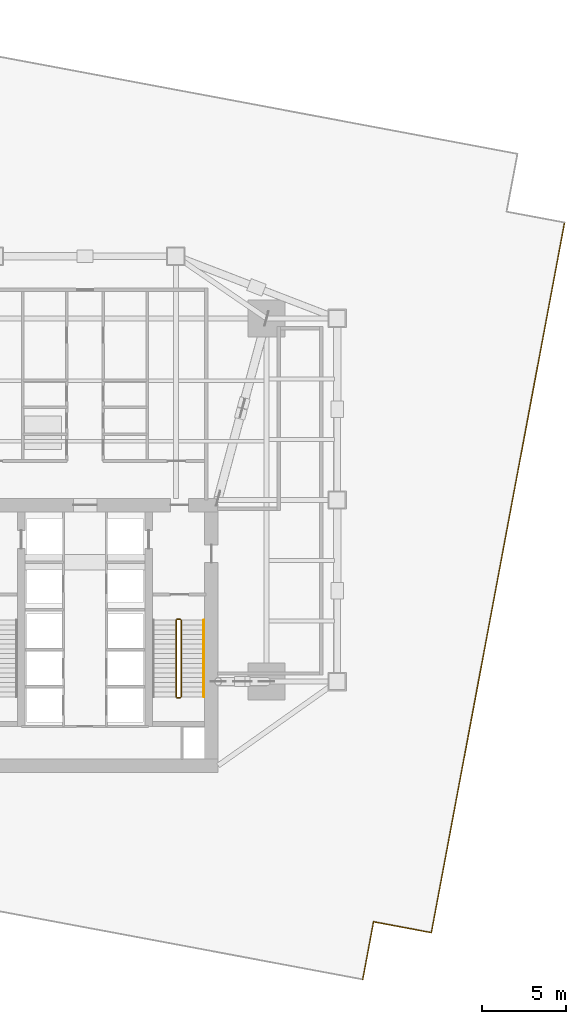
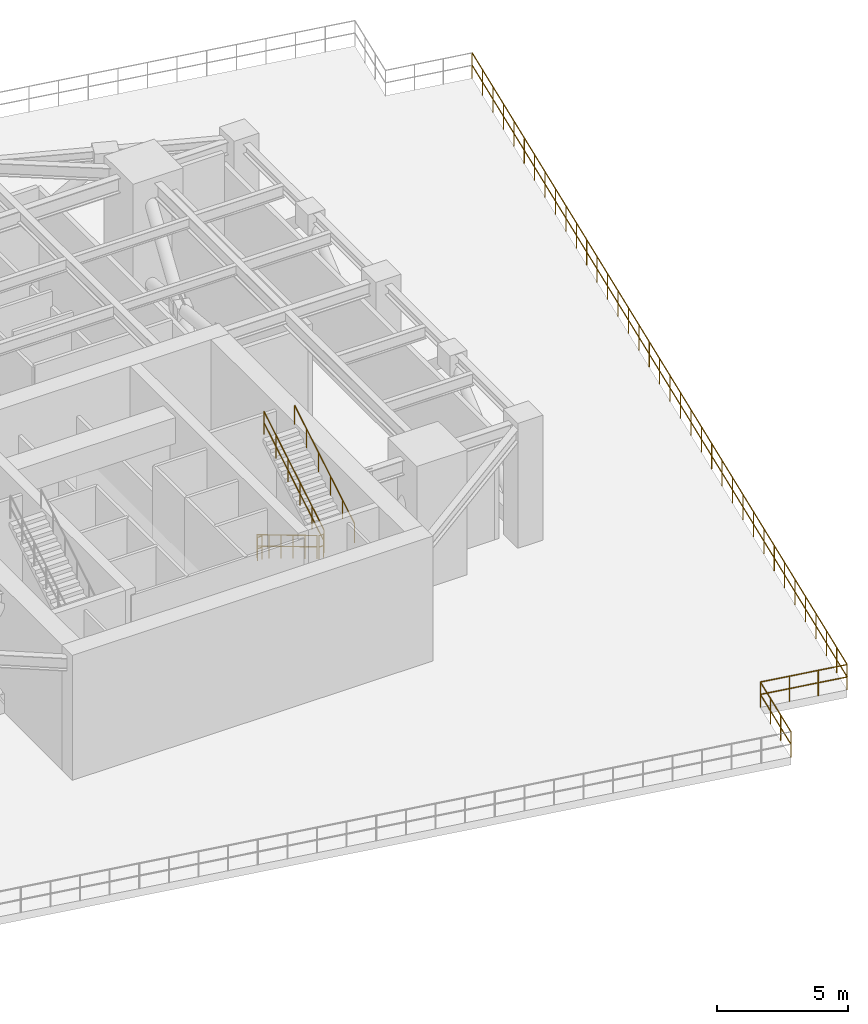
# One storey, part 9 of 10: 8 railings.
"""IFC4 building model written with IfcOpenShell, lengths in metres."""

from ifc_helpers import new_model, si_unit, direction, frame, origin, origin_2d, place, context, subcontext, project, spatial, circle, extrude, material, layer, layer_set, type_object, element, save


model = new_model("IFC4")

# Units and contexts
model_context = context("Model", 3, precision=1e-05, world=origin(), true_north=direction((0.0, 1.0)))
body_context = subcontext(model_context, "Body", "Model", "MODEL_VIEW")
ifc_project = project(units=[si_unit("LENGTHUNIT", "METRE"), si_unit("AREAUNIT", "SQUARE_METRE"), si_unit("VOLUMEUNIT", "CUBIC_METRE"), si_unit("PLANEANGLEUNIT", "RADIAN"), si_unit("MASSUNIT", "GRAM", prefix="KILO")], contexts=[model_context])

# Site, building, storey
site_placement = place(None, origin())
site = spatial("IfcSite", under=ifc_project, at=site_placement, CompositionType="ELEMENT")
building_placement = place(site_placement, origin())
building = spatial("IfcBuilding", under=site, at=building_placement, Name="Krantzveldt Concourse Tower", CompositionType="ELEMENT")
storey_placement = place(building_placement, frame((0.0, 0.0, 80.300048828125)))
storey = spatial("IfcBuildingStorey", under=building, at=storey_placement, Name="L19", CompositionType="ELEMENT", Elevation=80.300048828125)

# Railings
ifc_material = material(Name="Stainless steel 316L", Category="steel")
ifc_layer_1 = layer(ifc_material, 0.080078125, Name="Stainless steel 316L", Category="steel")
ifc_layer_set_1 = layer_set([ifc_layer_1], Name="Stainless steel 316L (RL-BALUSTRADE-1150)")
railing_type_1 = type_object("IfcRailingType", Name="RL-BALUSTRADE-1150", PredefinedType="BALUSTRADE", material=ifc_layer_set_1)
railing_1_placement = place(storey_placement, frame((52.52197265625, -1.83544921875, 0.0)))
element("IfcRailing", 1, at=railing_1_placement, inside=storey, type_object=railing_type_1, Name="GD-L19-WIND-06", PredefinedType="BALUSTRADE", context=body_context, shape_type="SweptSolid", body=[
    extrude(circle(Radius=0.02392578125, at=origin_2d()), frame((0.0, 0.0, 1.17578125), z_axis=(0.184364344482, 0.982857969639, 0.0), x_axis=(-0.982857969639, 0.184364344482, 0.0)), (0.0, 0.0, 1.0), 3.5),
    extrude(circle(Radius=0.02392578125, at=origin_2d()), frame((0.0, 0.0, 0.60009765625), z_axis=(0.184364344482, 0.982857969639, 0.0), x_axis=(-0.982857969639, 0.184364344482, 0.0)), (0.0, 0.0, 1.0), 3.5),
    extrude(circle(Radius=0.02099609375, at=origin_2d()), origin(), (0.0, 0.0, 1.0), 1.15185546875),
    extrude(circle(Radius=0.02099609375, at=origin_2d()), frame((0.215087890625, 1.146728515625, 0.0)), (0.0, 0.0, 1.0), 1.15185546875),
    extrude(circle(Radius=0.02099609375, at=origin_2d()), frame((0.43017578125, 2.293212890625, 0.0)), (0.0, 0.0, 1.0), 1.15185546875),
    extrude(circle(Radius=0.02099609375, at=origin_2d()), frame((0.645263671875, 3.43994140625, 0.0)), (0.0, 0.0, 1.0), 1.15185546875),
])
railing_2_placement = place(storey_placement, frame((53.167236328125, 1.6044921875, 0.0)))
element("IfcRailing", 2, at=railing_2_placement, inside=storey, type_object=railing_type_1, Name="GD-L19-WIND-07", PredefinedType="BALUSTRADE", context=body_context, shape_type="SweptSolid", body=[
    extrude(circle(Radius=0.02392578125, at=origin_2d()), frame((0.0, 0.0, 1.17578125), z_axis=(0.982857969639, -0.184364344482, 0.0), x_axis=(0.184364344482, 0.982857969639, 0.0)), (0.0, 0.0, 1.0), 3.5),
    extrude(circle(Radius=0.02392578125, at=origin_2d()), frame((0.0, 0.0, 0.60009765625), z_axis=(0.982857969639, -0.184364344482, 0.0), x_axis=(0.184364344482, 0.982857969639, 0.0)), (0.0, 0.0, 1.0), 3.5),
    extrude(circle(Radius=0.02099609375, at=origin_2d()), origin(), (0.0, 0.0, 1.0), 1.15185546875),
    extrude(circle(Radius=0.02099609375, at=origin_2d()), frame((1.146728515625, -0.215087890625, 0.0)), (0.0, 0.0, 1.0), 1.15185546875),
    extrude(circle(Radius=0.02099609375, at=origin_2d()), frame((2.293212890625, -0.43017578125, 0.0)), (0.0, 0.0, 1.0), 1.15185546875),
    extrude(circle(Radius=0.02099609375, at=origin_2d()), frame((3.43994140625, -0.645263671875, 0.0)), (0.0, 0.0, 1.0), 1.15185546875),
])
railing_3_placement = place(storey_placement, frame((56.607177734375, 0.959228515625, 0.0)))
element("IfcRailing", 3, at=railing_3_placement, inside=storey, type_object=railing_type_1, Name="GD-L19-WIND-08", PredefinedType="BALUSTRADE", context=body_context, shape_type="SweptSolid", body=[
    extrude(circle(Radius=0.02392578125, at=origin_2d()), frame((0.0, 0.0, 1.17578125), z_axis=(0.184383148164, 0.982854442261, 0.0), x_axis=(-0.982854442261, 0.184383148164, 0.0)), (0.0, 0.0, 1.0), 43.0),
    extrude(circle(Radius=0.02392578125, at=origin_2d()), frame((0.0, 0.0, 0.60009765625), z_axis=(0.184383148164, 0.982854442261, 0.0), x_axis=(-0.982854442261, 0.184383148164, 0.0)), (0.0, 0.0, 1.0), 43.0),
    extrude(circle(Radius=0.02099609375, at=origin_2d()), origin(), (0.0, 0.0, 1.0), 1.15185546875),
    extrude(circle(Radius=0.02099609375, at=origin_2d()), frame((0.22021484375, 1.174072265625, 0.0)), (0.0, 0.0, 1.0), 1.15185546875),
    extrude(circle(Radius=0.02099609375, at=origin_2d()), frame((0.4404296875, 2.347900390625, 0.0)), (0.0, 0.0, 1.0), 1.15185546875),
    extrude(circle(Radius=0.02099609375, at=origin_2d()), frame((0.66064453125, 3.52197265625, 0.0)), (0.0, 0.0, 1.0), 1.15185546875),
    extrude(circle(Radius=0.02099609375, at=origin_2d()), frame((0.880859375, 4.69580078125, 0.0)), (0.0, 0.0, 1.0), 1.15185546875),
    extrude(circle(Radius=0.02099609375, at=origin_2d()), frame((1.10107421875, 5.869873046875, 0.0)), (0.0, 0.0, 1.0), 1.15185546875),
    extrude(circle(Radius=0.02099609375, at=origin_2d()), frame((1.3212890625, 7.043701171875, 0.0)), (0.0, 0.0, 1.0), 1.15185546875),
    extrude(circle(Radius=0.02099609375, at=origin_2d()), frame((1.541748046875, 8.2177734375, 0.0)), (0.0, 0.0, 1.0), 1.15185546875),
    extrude(circle(Radius=0.02099609375, at=origin_2d()), frame((1.761962890625, 9.3916015625, 0.0)), (0.0, 0.0, 1.0), 1.15185546875),
    extrude(circle(Radius=0.02099609375, at=origin_2d()), frame((1.982177734375, 10.565673828125, 0.0)), (0.0, 0.0, 1.0), 1.15185546875),
    extrude(circle(Radius=0.02099609375, at=origin_2d()), frame((2.202392578125, 11.73974609375, 0.0)), (0.0, 0.0, 1.0), 1.15185546875),
    extrude(circle(Radius=0.02099609375, at=origin_2d()), frame((2.422607421875, 12.91357421875, 0.0)), (0.0, 0.0, 1.0), 1.15185546875),
    extrude(circle(Radius=0.02099609375, at=origin_2d()), frame((2.642822265625, 14.087646484375, 0.0)), (0.0, 0.0, 1.0), 1.15185546875),
    extrude(circle(Radius=0.02099609375, at=origin_2d()), frame((2.863037109375, 15.261474609375, 0.0)), (0.0, 0.0, 1.0), 1.15185546875),
    extrude(circle(Radius=0.02099609375, at=origin_2d()), frame((3.083251953125, 16.435546875, 0.0)), (0.0, 0.0, 1.0), 1.15185546875),
    extrude(circle(Radius=0.02099609375, at=origin_2d()), frame((3.303466796875, 17.609375, 0.0)), (0.0, 0.0, 1.0), 1.15185546875),
    extrude(circle(Radius=0.02099609375, at=origin_2d()), frame((3.523681640625, 18.783447265625, 0.0)), (0.0, 0.0, 1.0), 1.15185546875),
    extrude(circle(Radius=0.02099609375, at=origin_2d()), frame((3.743896484375, 19.957275390625, 0.0)), (0.0, 0.0, 1.0), 1.15185546875),
    extrude(circle(Radius=0.02099609375, at=origin_2d()), frame((3.96435546875, 21.13134765625, 0.0)), (0.0, 0.0, 1.0), 1.15185546875),
    extrude(circle(Radius=0.02099609375, at=origin_2d()), frame((4.1845703125, 22.305419921875, 0.0)), (0.0, 0.0, 1.0), 1.15185546875),
    extrude(circle(Radius=0.02099609375, at=origin_2d()), frame((4.40478515625, 23.479248046875, 0.0)), (0.0, 0.0, 1.0), 1.15185546875),
    extrude(circle(Radius=0.02099609375, at=origin_2d()), frame((4.625, 24.6533203125, 0.0)), (0.0, 0.0, 1.0), 1.15185546875),
    extrude(circle(Radius=0.02099609375, at=origin_2d()), frame((4.84521484375, 25.8271484375, 0.0)), (0.0, 0.0, 1.0), 1.15185546875),
    extrude(circle(Radius=0.02099609375, at=origin_2d()), frame((5.0654296875, 27.001220703125, 0.0)), (0.0, 0.0, 1.0), 1.15185546875),
    extrude(circle(Radius=0.02099609375, at=origin_2d()), frame((5.28564453125, 28.175048828125, 0.0)), (0.0, 0.0, 1.0), 1.15185546875),
    extrude(circle(Radius=0.02099609375, at=origin_2d()), frame((5.505859375, 29.34912109375, 0.0)), (0.0, 0.0, 1.0), 1.15185546875),
    extrude(circle(Radius=0.02099609375, at=origin_2d()), frame((5.72607421875, 30.52294921875, 0.0)), (0.0, 0.0, 1.0), 1.15185546875),
    extrude(circle(Radius=0.02099609375, at=origin_2d()), frame((5.9462890625, 31.697021484375, 0.0)), (0.0, 0.0, 1.0), 1.15185546875),
    extrude(circle(Radius=0.02099609375, at=origin_2d()), frame((6.16650390625, 32.87109375, 0.0)), (0.0, 0.0, 1.0), 1.15185546875),
    extrude(circle(Radius=0.02099609375, at=origin_2d()), frame((6.38671875, 34.044921875, 0.0)), (0.0, 0.0, 1.0), 1.15185546875),
    extrude(circle(Radius=0.02099609375, at=origin_2d()), frame((6.60693359375, 35.218994140625, 0.0)), (0.0, 0.0, 1.0), 1.15185546875),
    extrude(circle(Radius=0.02099609375, at=origin_2d()), frame((6.827392578125, 36.392822265625, 0.0)), (0.0, 0.0, 1.0), 1.15185546875),
    extrude(circle(Radius=0.02099609375, at=origin_2d()), frame((7.047607421875, 37.56689453125, 0.0)), (0.0, 0.0, 1.0), 1.15185546875),
    extrude(circle(Radius=0.02099609375, at=origin_2d()), frame((7.267822265625, 38.74072265625, 0.0)), (0.0, 0.0, 1.0), 1.15185546875),
    extrude(circle(Radius=0.02099609375, at=origin_2d()), frame((7.488037109375, 39.914794921875, 0.0)), (0.0, 0.0, 1.0), 1.15185546875),
    extrude(circle(Radius=0.02099609375, at=origin_2d()), frame((7.708251953125, 41.088623046875, 0.0)), (0.0, 0.0, 1.0), 1.15185546875),
    extrude(circle(Radius=0.02099609375, at=origin_2d()), frame((7.928466796875, 42.2626953125, 0.0)), (0.0, 0.0, 1.0), 1.15185546875),
])
ifc_layer_2 = layer(ifc_material, 0.06005859375, Name="Stainless steel 316L", Category="steel")
ifc_layer_set_2 = layer_set([ifc_layer_2], Name="Stainless steel 316L (RL-GUARD-1120)")
railing_type_2 = type_object("IfcRailingType", Name="RL-GUARD-1120", PredefinedType="GUARDRAIL", material=ifc_layer_set_2)
railing_4_placement = place(storey_placement, frame((41.419921875, 19.550048828125, 0.170654296875)))
element("IfcRailing", 4, at=railing_4_placement, inside=storey, type_object=railing_type_2, Name="L19 ST-2 stair guard 1", PredefinedType="GUARDRAIL", context=body_context, shape_type="SweptSolid", body=[
    extrude(circle(Radius=0.02392578125, at=origin_2d()), frame((0.0, 0.0, 1.076171875), z_axis=(0.0, -0.858055844578, 0.513556391827), x_axis=(1.0, 0.0, 0.0)), (0.0, 0.0, 1.0), 5.314453125),
    extrude(circle(Radius=0.02392578125, at=origin_2d()), frame((0.0, 0.0, 0.550048828125), z_axis=(0.0, -0.858055844578, 0.513556391827), x_axis=(1.0, 0.0, 0.0)), (0.0, 0.0, 1.0), 5.314453125),
    extrude(circle(Radius=0.02099609375, at=origin_2d()), origin(), (0.0, 0.0, 1.0), 1.052001953125),
    extrude(circle(Radius=0.02099609375, at=origin_2d()), frame((0.0, -0.912109375, 0.5458984375)), (0.0, 0.0, 1.0), 1.052001953125),
    extrude(circle(Radius=0.02099609375, at=origin_2d()), frame((0.0, -1.823974609375, 1.091796875)), (0.0, 0.0, 1.0), 1.052001953125),
    extrude(circle(Radius=0.02099609375, at=origin_2d()), frame((0.0, -2.736083984375, 1.637451171875)), (0.0, 0.0, 1.0), 1.052001953125),
    extrude(circle(Radius=0.02099609375, at=origin_2d()), frame((0.0, -3.64794921875, 2.183349609375)), (0.0, 0.0, 1.0), 1.052001953125),
    extrude(circle(Radius=0.02099609375, at=origin_2d()), frame((0.0, -4.56005859375, 2.729248046875)), (0.0, 0.0, 1.0), 1.052001953125),
])
railing_5_placement = place(storey_placement, frame((41.469970703125, 14.93994140625, 2.89990234375)))
element("IfcRailing", 5, at=railing_5_placement, inside=storey, type_object=railing_type_2, Name="L19 ST-2 stair guard 2", PredefinedType="GUARDRAIL", context=body_context, shape_type="SweptSolid", body=[
    extrude(circle(Radius=0.02392578125, at=origin_2d()), frame((0.0, 0.0, 1.076171875), z_axis=(1.0, 0.0, 0.0), x_axis=(0.0, 1.0, 0.0)), (0.0, 0.0, 1.0), 0.199951171875),
    extrude(circle(Radius=0.02392578125, at=origin_2d()), frame((0.0, 0.0, 0.550048828125), z_axis=(1.0, 0.0, 0.0), x_axis=(0.0, 1.0, 0.0)), (0.0, 0.0, 1.0), 0.199951171875),
    extrude(circle(Radius=0.02099609375, at=origin_2d()), origin(), (0.0, 0.0, 1.0), 1.052001953125),
    extrude(circle(Radius=0.02099609375, at=origin_2d()), frame((0.199951171875, 0.0, 0.0)), (0.0, 0.0, 1.0), 1.052001953125),
])
railing_6_placement = place(storey_placement, frame((41.719970703125, 14.989990234375, 3.070556640625)))
element("IfcRailing", 6, at=railing_6_placement, inside=storey, type_object=railing_type_2, Name="L19 ST-2 stair guard 3", PredefinedType="GUARDRAIL", context=body_context, shape_type="SweptSolid", body=[
    extrude(circle(Radius=0.02392578125, at=origin_2d()), frame((0.0, 0.0, 1.076171875), z_axis=(0.0, 0.858035600736, 0.513590213954), x_axis=(-1.0, 0.0, 0.0)), (0.0, 0.0, 1.0), 5.314453125),
    extrude(circle(Radius=0.02392578125, at=origin_2d()), frame((0.0, 0.0, 0.550048828125), z_axis=(0.0, 0.858035600736, 0.513590213954), x_axis=(-1.0, 0.0, 0.0)), (0.0, 0.0, 1.0), 5.314453125),
    extrude(circle(Radius=0.02099609375, at=origin_2d()), origin(), (0.0, 0.0, 1.0), 1.052001953125),
    extrude(circle(Radius=0.02099609375, at=origin_2d()), frame((0.0, 0.912109375, 0.5458984375)), (0.0, 0.0, 1.0), 1.052001953125),
    extrude(circle(Radius=0.02099609375, at=origin_2d()), frame((0.0, 1.823974609375, 1.091796875)), (0.0, 0.0, 1.0), 1.052001953125),
    extrude(circle(Radius=0.02099609375, at=origin_2d()), frame((0.0, 2.736083984375, 1.6376953125)), (0.0, 0.0, 1.0), 1.052001953125),
    extrude(circle(Radius=0.02099609375, at=origin_2d()), frame((0.0, 3.64794921875, 2.18359375)), (0.0, 0.0, 1.0), 1.052001953125),
    extrude(circle(Radius=0.02099609375, at=origin_2d()), frame((0.0, 4.56005859375, 2.7294921875)), (0.0, 0.0, 1.0), 1.052001953125),
])
railing_7_placement = place(storey_placement, frame((41.469970703125, 19.60009765625, 0.0)))
element("IfcRailing", 7, at=railing_7_placement, inside=storey, type_object=railing_type_2, Name="L19 ST-2 stair guard 4", PredefinedType="GUARDRAIL", context=body_context, shape_type="SweptSolid", body=[
    extrude(circle(Radius=0.02392578125, at=origin_2d()), frame((0.0, 0.0, 1.076171875), z_axis=(1.0, 0.0, 0.0), x_axis=(0.0, 1.0, 0.0)), (0.0, 0.0, 1.0), 0.199951171875),
    extrude(circle(Radius=0.02392578125, at=origin_2d()), frame((0.0, 0.0, 0.550048828125), z_axis=(1.0, 0.0, 0.0), x_axis=(0.0, 1.0, 0.0)), (0.0, 0.0, 1.0), 0.199951171875),
    extrude(circle(Radius=0.02099609375, at=origin_2d()), origin(), (0.0, 0.0, 1.0), 1.052001953125),
    extrude(circle(Radius=0.02099609375, at=origin_2d()), frame((0.199951171875, 0.0, 0.0)), (0.0, 0.0, 1.0), 1.052001953125),
])
ifc_layer_3 = layer(ifc_material, 0.050048828125, Name="Stainless steel 316L", Category="steel")
ifc_layer_set_3 = layer_set([ifc_layer_3], Name="Stainless steel 316L (RL-HANDRAIL-920)")
railing_type_3 = type_object("IfcRailingType", Name="RL-HANDRAIL-920", PredefinedType="HANDRAIL", material=ifc_layer_set_3)
railing_8_placement = place(storey_placement, frame((43.070068359375, 14.989990234375, 3.070556640625)))
element("IfcRailing", 8, at=railing_8_placement, inside=storey, type_object=railing_type_3, Name="L19 ST-2 stair handrail 2", PredefinedType="HANDRAIL", context=body_context, shape_type="SweptSolid", body=[
    extrude(circle(Radius=0.02392578125, at=origin_2d()), frame((0.0, 0.0, 0.8759765625), z_axis=(0.0, 0.858035600736, 0.513590213954), x_axis=(-1.0, 0.0, 0.0)), (0.0, 0.0, 1.0), 5.314453125),
    extrude(circle(Radius=0.02099609375, at=origin_2d()), origin(), (0.0, 0.0, 1.0), 0.851806640625),
    extrude(circle(Radius=0.02099609375, at=origin_2d()), frame((0.0, 0.912109375, 0.5458984375)), (0.0, 0.0, 1.0), 0.851806640625),
    extrude(circle(Radius=0.02099609375, at=origin_2d()), frame((0.0, 1.823974609375, 1.091796875)), (0.0, 0.0, 1.0), 0.851806640625),
    extrude(circle(Radius=0.02099609375, at=origin_2d()), frame((0.0, 2.736083984375, 1.6376953125)), (0.0, 0.0, 1.0), 0.851806640625),
    extrude(circle(Radius=0.02099609375, at=origin_2d()), frame((0.0, 3.64794921875, 2.18359375)), (0.0, 0.0, 1.0), 0.851806640625),
    extrude(circle(Radius=0.02099609375, at=origin_2d()), frame((0.0, 4.56005859375, 2.7294921875)), (0.0, 0.0, 1.0), 0.851806640625),
])

save(model, "model.ifc")
